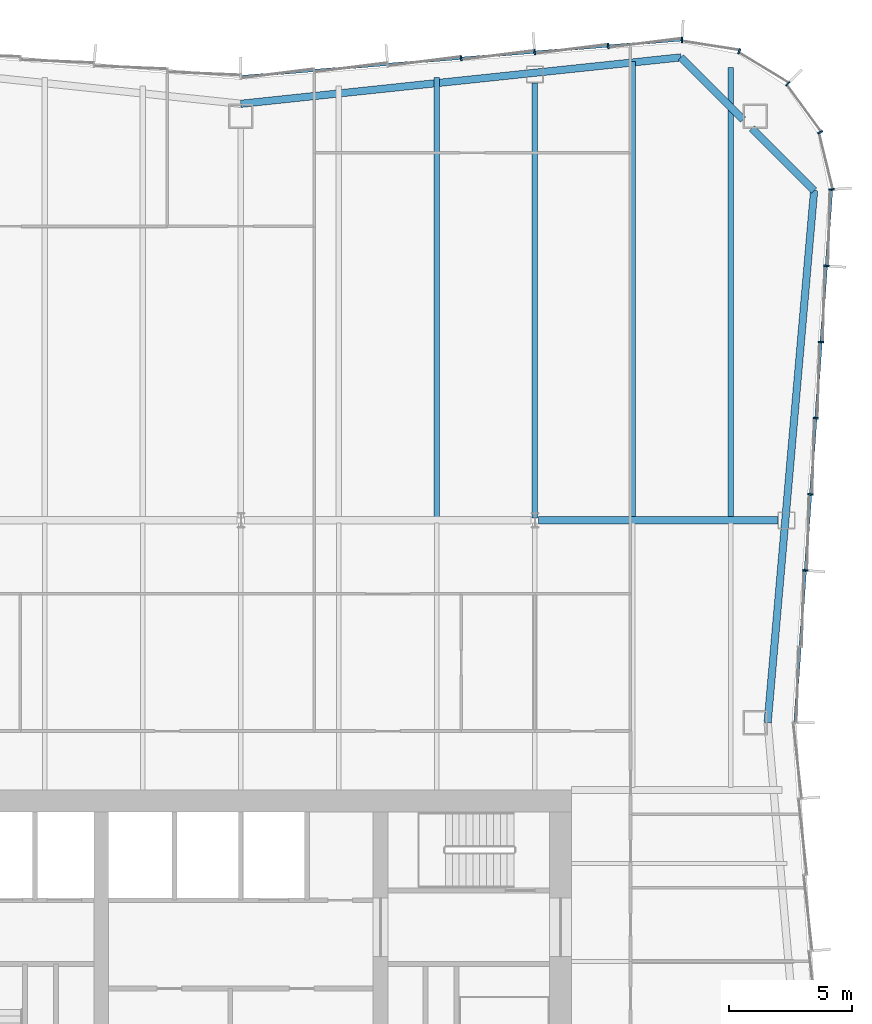
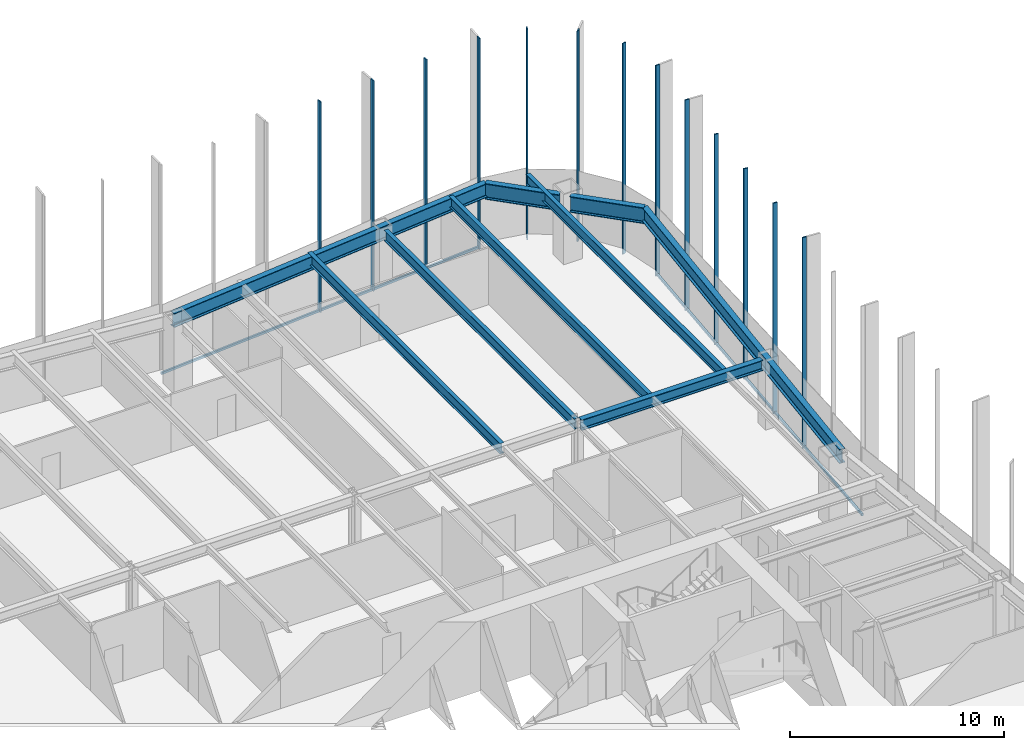
# One storey, part 7 of 13: 15 members, 9 beams, 3 elements without a shape of their own.
"""IFC4 building model written with IfcOpenShell, lengths in metres."""

from ifc_helpers import new_model, si_unit, direction, frame, origin, origin_2d, place, context, subcontext, project, spatial, rectangle, i_section, extrude, material, material_profile, profile_set, type_object, element, aggregate, save


model = new_model("IFC4")

# Units and contexts
model_context = context("Model", 3, precision=1e-05, world=origin(), true_north=direction((0.0, 1.0)))
body_context = subcontext(model_context, "Body", "Model", "MODEL_VIEW")
ifc_project = project(units=[si_unit("LENGTHUNIT", "METRE"), si_unit("AREAUNIT", "SQUARE_METRE"), si_unit("VOLUMEUNIT", "CUBIC_METRE"), si_unit("PLANEANGLEUNIT", "RADIAN"), si_unit("MASSUNIT", "GRAM", prefix="KILO")], contexts=[model_context])

# Site, building, storey
site_placement = place(None, origin())
site = spatial("IfcSite", under=ifc_project, at=site_placement, CompositionType="ELEMENT")
building_placement = place(site_placement, origin())
building = spatial("IfcBuilding", under=site, at=building_placement, Name="Verdant Reach Tower", CompositionType="ELEMENT")
storey_placement = place(building_placement, frame((0.0, 0.0, 206.0)))
storey = spatial("IfcBuildingStorey", under=building, at=storey_placement, Name="L47", CompositionType="ELEMENT", Elevation=206.0)

# Curtain wall, members
ifc_material_1 = material(Name="Anodised aluminium", Category="aluminium")
curtain_wall_type = type_object("IfcCurtainWallType", Name="EN-CW SYSTEM Z3", PredefinedType="NOTDEFINED", material=ifc_material_1)
curtain_wall_1_placement = place(storey_placement, origin())
curtain_wall_1 = element("IfcCurtainWall", 1, at=curtain_wall_1_placement, inside=storey, type_object=curtain_wall_type, Name="Curtain wall east, L47", PredefinedType="NOTDEFINED")
ifc_material_profile_1 = material_profile(ifc_material_1, rectangle(XDim=0.218017578125, YDim=0.06591796875, at=origin_2d()), Name="Mullion 66x218")
ifc_profile_set_1 = profile_set([ifc_material_profile_1], Name="Anodised aluminium")
member_type_1 = type_object("IfcMemberType", Name="EN-MULLION Z3", PredefinedType="MULLION", material=ifc_profile_set_1)
member_1_placement = place(storey_placement, frame((23.037353515625, 47.456787109375, -0.35009765625), z_axis=(0.0, 0.0, 1.0), x_axis=(0.997630328423, -0.068802091615, 0.0)))
member_1 = element("IfcMember", 2, at=member_1_placement, type_object=member_type_1, Name="Mullion east face part 2 3, L47", PredefinedType="MULLION", context=body_context, shape_type="SweptSolid", body=[
    extrude(rectangle(XDim=0.218017578125, YDim=0.06591796875, at=origin_2d()), origin(), (0.0, 0.0, 1.0), 12.0),
])
member_2_placement = place(storey_placement, frame((23.251708984375, 50.56396484375, -0.35009765625), z_axis=(0.0, 0.0, 1.0), x_axis=(0.997630328423, -0.068802091615, 0.0)))
member_2 = element("IfcMember", 3, at=member_2_placement, type_object=member_type_1, Name="Mullion east face part 2 4, L47", PredefinedType="MULLION", context=body_context, shape_type="SweptSolid", body=[
    extrude(rectangle(XDim=0.218017578125, YDim=0.06591796875, at=origin_2d()), origin(), (0.0, 0.0, 1.0), 12.0),
])
member_3_placement = place(storey_placement, frame((23.4658203125, 53.671142578125, -0.35009765625), z_axis=(0.0, 0.0, 1.0), x_axis=(0.997630328423, -0.068802091615, 0.0)))
member_3 = element("IfcMember", 4, at=member_3_placement, type_object=member_type_1, Name="Mullion east face part 2 5, L47", PredefinedType="MULLION", context=body_context, shape_type="SweptSolid", body=[
    extrude(rectangle(XDim=0.218017578125, YDim=0.06591796875, at=origin_2d()), origin(), (0.0, 0.0, 1.0), 12.0),
])
member_4_placement = place(storey_placement, frame((23.68017578125, 56.7783203125, -0.35009765625), z_axis=(0.0, 0.0, 1.0), x_axis=(0.997630328423, -0.068802091615, 0.0)))
member_4 = element("IfcMember", 5, at=member_4_placement, type_object=member_type_1, Name="Mullion east face part 2 6, L47", PredefinedType="MULLION", context=body_context, shape_type="SweptSolid", body=[
    extrude(rectangle(XDim=0.218017578125, YDim=0.06591796875, at=origin_2d()), origin(), (0.0, 0.0, 1.0), 12.0),
])
member_5_placement = place(storey_placement, frame((23.89453125, 59.88525390625, -0.35009765625), z_axis=(0.0, 0.0, 1.0), x_axis=(0.997630328423, -0.068802091615, 0.0)))
member_5 = element("IfcMember", 6, at=member_5_placement, type_object=member_type_1, Name="Mullion east face part 2 7, L47", PredefinedType="MULLION", context=body_context, shape_type="SweptSolid", body=[
    extrude(rectangle(XDim=0.218017578125, YDim=0.06591796875, at=origin_2d()), origin(), (0.0, 0.0, 1.0), 12.0),
])

curtain_wall_2_placement = place(storey_placement, origin())
curtain_wall_2 = element("IfcCurtainWall", 7, at=curtain_wall_2_placement, inside=storey, type_object=curtain_wall_type, Name="Curtain wall north-east corner, L47", PredefinedType="NOTDEFINED")
member_6_placement = place(storey_placement, frame((24.10888671875, 63.0068359375, -0.35009765625), z_axis=(0.0, 0.0, 1.0), x_axis=(0.997969180898, 0.063698618332, 0.0)))
member_6 = element("IfcMember", 8, at=member_6_placement, type_object=member_type_1, Name="Mullion north-east corner 1, L47", PredefinedType="MULLION", context=body_context, shape_type="SweptSolid", body=[
    extrude(rectangle(XDim=0.218017578125, YDim=0.06591796875, at=origin_2d()), origin(), (0.0, 0.0, 1.0), 12.0),
])
member_7_placement = place(storey_placement, frame((23.64404296875, 65.337890625, -0.35009765625), z_axis=(0.0, 0.0, 1.0), x_axis=(0.923875215753, 0.382693853776, 0.0)))
member_7 = element("IfcMember", 9, at=member_7_placement, type_object=member_type_1, Name="Mullion north-east corner 2, L47", PredefinedType="MULLION", context=body_context, shape_type="SweptSolid", body=[
    extrude(rectangle(XDim=0.218017578125, YDim=0.06591796875, at=origin_2d()), origin(), (0.0, 0.0, 1.0), 12.0),
])
member_8_placement = place(storey_placement, frame((22.319580078125, 67.319580078125, -0.35009765625), z_axis=(0.0, 0.0, 1.0), x_axis=(0.707106781187, 0.707106781187, 0.0)))
member_8 = element("IfcMember", 10, at=member_8_placement, type_object=member_type_1, Name="Mullion north-east corner 3, L47", PredefinedType="MULLION", context=body_context, shape_type="SweptSolid", body=[
    extrude(rectangle(XDim=0.218017578125, YDim=0.06591796875, at=origin_2d()), origin(), (0.0, 0.0, 1.0), 12.0),
])
member_9_placement = place(storey_placement, frame((20.337890625, 68.64404296875, -0.35009765625), z_axis=(0.0, 0.0, 1.0), x_axis=(0.382693853776, 0.923875215753, 0.0)))
member_9 = element("IfcMember", 11, at=member_9_placement, type_object=member_type_1, Name="Mullion north-east corner 4, L47", PredefinedType="MULLION", context=body_context, shape_type="SweptSolid", body=[
    extrude(rectangle(XDim=0.218017578125, YDim=0.06591796875, at=origin_2d()), origin(), (0.0, 0.0, 1.0), 12.0),
])
aggregate(curtain_wall_2, [member_6, member_7, member_8, member_9])

curtain_wall_3_placement = place(storey_placement, origin())
curtain_wall_3 = element("IfcCurtainWall", 12, at=curtain_wall_3_placement, inside=storey, type_object=curtain_wall_type, Name="Curtain wall north, L47", PredefinedType="NOTDEFINED")
member_10_placement = place(storey_placement, frame((18.006103515625, 69.10888671875, -0.35009765625), z_axis=(0.0, 0.0, 1.0), x_axis=(0.056569187765, 0.998398681387, 0.0)))
member_10 = element("IfcMember", 13, at=member_10_placement, type_object=member_type_1, Name="Mullion north face part 1 1, L47", PredefinedType="MULLION", context=body_context, shape_type="SweptSolid", body=[
    extrude(rectangle(XDim=0.218017578125, YDim=0.06591796875, at=origin_2d()), origin(), (0.0, 0.0, 1.0), 12.0),
])
member_11_placement = place(storey_placement, frame((14.990966796875, 68.858642578125, -0.35009765625), z_axis=(0.0, 0.0, 1.0), x_axis=(-0.083045479859, 0.996545758244, 0.0)))
member_11 = element("IfcMember", 14, at=member_11_placement, type_object=member_type_1, Name="Mullion north face part 1 2, L47", PredefinedType="MULLION", context=body_context, shape_type="SweptSolid", body=[
    extrude(rectangle(XDim=0.218017578125, YDim=0.06591796875, at=origin_2d()), origin(), (0.0, 0.0, 1.0), 12.0),
])
member_12_placement = place(storey_placement, frame((11.990966796875, 68.608642578125, -0.35009765625), z_axis=(0.0, 0.0, 1.0), x_axis=(-0.083045479859, 0.996545758244, 0.0)))
member_12 = element("IfcMember", 15, at=member_12_placement, type_object=member_type_1, Name="Mullion north face part 1 3, L47", PredefinedType="MULLION", context=body_context, shape_type="SweptSolid", body=[
    extrude(rectangle(XDim=0.218017578125, YDim=0.06591796875, at=origin_2d()), origin(), (0.0, 0.0, 1.0), 12.0),
])
member_13_placement = place(storey_placement, frame((8.990966796875, 68.358642578125, -0.35009765625), z_axis=(0.0, 0.0, 1.0), x_axis=(-0.083045479859, 0.996545758244, 0.0)))
member_13 = element("IfcMember", 16, at=member_13_placement, type_object=member_type_1, Name="Mullion north face part 1 4, L47", PredefinedType="MULLION", context=body_context, shape_type="SweptSolid", body=[
    extrude(rectangle(XDim=0.218017578125, YDim=0.06591796875, at=origin_2d()), origin(), (0.0, 0.0, 1.0), 12.0),
])

# Member
ifc_material_profile_2 = material_profile(ifc_material_1, rectangle(XDim=0.10009765625, YDim=0.1259765625, at=origin_2d()), Name="Transom 126x100")
ifc_profile_set_2 = profile_set([ifc_material_profile_2], Name="Anodised aluminium")
member_type_2 = type_object("IfcMemberType", Name="EN-TRANSOM Z3", PredefinedType="USERDEFINED", material=ifc_profile_set_2)
member_14_placement = place(storey_placement, frame((22.611328125, 41.282958984375, -0.287109375), z_axis=(0.068764326054, 0.997632932226, 0.0), x_axis=(-0.997632932226, 0.068764326054, 0.0)))
member_14 = element("IfcMember", 17, at=member_14_placement, type_object=member_type_2, Name="Transom east face part 2 1.1, L47", ObjectType="TRANSOM", PredefinedType="USERDEFINED", context=body_context, shape_type="SweptSolid", body=[
    extrude(rectangle(XDim=0.10009765625, YDim=0.1259765625, at=origin_2d()), origin(), (0.0, 0.0, 1.0), 21.74267578125),
])

aggregate(curtain_wall_1, [member_1, member_2, member_3, member_4, member_5, member_14])

member_15_placement = place(storey_placement, frame((17.973388671875, 69.106201171875, -0.287109375), z_axis=(-0.996548750467, -0.083009565369, 0.0), x_axis=(0.083009565369, -0.996548750467, 0.0)))
member_15 = element("IfcMember", 18, at=member_15_placement, type_object=member_type_2, Name="Transom north face part 1 1.1, L47", ObjectType="TRANSOM", PredefinedType="USERDEFINED", context=body_context, shape_type="SweptSolid", body=[
    extrude(rectangle(XDim=0.10009765625, YDim=0.1259765625, at=origin_2d()), origin(), (0.0, 0.0, 1.0), 18.00244140625),
])

aggregate(curtain_wall_3, [member_10, member_11, member_12, member_13, member_15])

# Beams
ifc_material_2 = material(Name="Steel S355", Category="steel")
ifc_material_profile_3 = material_profile(ifc_material_2, i_section(OverallWidth=0.300048828125, OverallDepth=0.60009765625, WebThickness=0.015380859375, FlangeThickness=0.030029296875, FilletRadius=0.027099609375, at=origin_2d()), Name="HEB 600")
ifc_profile_set_3 = profile_set([ifc_material_profile_3], Name="Steel S355")
beam_type_1 = type_object("IfcBeamType", Name="ST-BEAM-HEB600", PredefinedType="BEAM", material=ifc_profile_set_3)
beam_1_placement = place(storey_placement, frame((12.152587890625, 49.5, 3.570068359375), z_axis=(1.0, 0.0, 0.0), x_axis=(0.0, 1.0, 0.0)))
element("IfcBeam", 19, at=beam_1_placement, inside=storey, type_object=beam_type_1, Name="Row girder, L47", PredefinedType="BEAM", context=body_context, shape_type="SweptSolid", body=[
    extrude(i_section(OverallWidth=0.300048828125, OverallDepth=0.60009765625, WebThickness=0.015380859375, FlangeThickness=0.030029296875, FilletRadius=0.027099609375, at=origin_2d()), origin(), (0.0, 0.0, 1.0), 9.766357421875),
])
ifc_material_profile_4 = material_profile(ifc_material_2, i_section(OverallWidth=0.219970703125, OverallDepth=0.60009765625, WebThickness=0.011962890625, FlangeThickness=0.01904296875, FilletRadius=0.02392578125, at=origin_2d()), Name="IPE 600")
ifc_profile_set_4 = profile_set([ifc_material_profile_4], Name="Steel S355")
beam_type_2 = type_object("IfcBeamType", Name="ST-JOIST-IPE600", PredefinedType="JOIST", material=ifc_profile_set_4)
beam_2_placement = place(storey_placement, frame((8.0, 49.60009765625, 3.570068359375), z_axis=(0.0, 1.0, 0.0), x_axis=(-1.0, 0.0, 0.0)))
element("IfcBeam", 20, at=beam_2_placement, inside=storey, type_object=beam_type_2, Name="Floor joist, L47", PredefinedType="JOIST", context=body_context, shape_type="SweptSolid", body=[
    extrude(i_section(OverallWidth=0.219970703125, OverallDepth=0.60009765625, WebThickness=0.011962890625, FlangeThickness=0.01904296875, FilletRadius=0.02392578125, at=origin_2d()), origin(), (0.0, 0.0, 1.0), 17.964599609375),
])
beam_3_placement = place(storey_placement, frame((12.0, 49.60009765625, 3.570068359375), z_axis=(0.0, 1.0, 0.0), x_axis=(-1.0, 0.0, 0.0)))
element("IfcBeam", 21, at=beam_3_placement, inside=storey, type_object=beam_type_2, Name="Floor joist, L47", PredefinedType="JOIST", context=body_context, shape_type="SweptSolid", body=[
    extrude(i_section(OverallWidth=0.219970703125, OverallDepth=0.60009765625, WebThickness=0.011962890625, FlangeThickness=0.01904296875, FilletRadius=0.02392578125, at=origin_2d()), origin(), (0.0, 0.0, 1.0), 17.75),
])
beam_4_placement = place(storey_placement, frame((16.0, 49.60009765625, 3.570068359375), z_axis=(0.0, 1.0, 0.0), x_axis=(-1.0, 0.0, 0.0)))
element("IfcBeam", 22, at=beam_4_placement, inside=storey, type_object=beam_type_2, Name="Floor joist, L47", PredefinedType="JOIST", context=body_context, shape_type="SweptSolid", body=[
    extrude(i_section(OverallWidth=0.219970703125, OverallDepth=0.60009765625, WebThickness=0.011962890625, FlangeThickness=0.01904296875, FilletRadius=0.02392578125, at=origin_2d()), origin(), (0.0, 0.0, 1.0), 18.631103515625),
])
beam_5_placement = place(storey_placement, frame((20.0, 49.60009765625, 3.570068359375), z_axis=(0.0, 1.0, 0.0), x_axis=(-1.0, 0.0, 0.0)))
element("IfcBeam", 23, at=beam_5_placement, inside=storey, type_object=beam_type_2, Name="Floor joist, L47", PredefinedType="JOIST", context=body_context, shape_type="SweptSolid", body=[
    extrude(i_section(OverallWidth=0.219970703125, OverallDepth=0.60009765625, WebThickness=0.011962890625, FlangeThickness=0.01904296875, FilletRadius=0.02392578125, at=origin_2d()), origin(), (0.0, 0.0, 1.0), 18.390380859375),
])
ifc_material_profile_5 = material_profile(ifc_material_2, i_section(OverallWidth=0.300048828125, OverallDepth=0.800048828125, WebThickness=0.017578125, FlangeThickness=0.032958984375, FilletRadius=0.030029296875, at=origin_2d()), Name="HEB 800")
ifc_profile_set_5 = profile_set([ifc_material_profile_5], Name="Steel S355")
beam_type_3 = type_object("IfcBeamType", Name="ST-SPANDREL-HEB800", PredefinedType="SPANDREL", material=ifc_profile_set_5)
beam_6_placement = place(storey_placement, frame((0.0, 66.5, 3.469970703125), z_axis=(0.994483067002, 0.104897232783, 0.0), x_axis=(-0.104897232783, 0.994483067002, 0.0)))
element("IfcBeam", 24, at=beam_6_placement, inside=storey, type_object=beam_type_3, Name="Edge beam, L47", PredefinedType="SPANDREL", context=body_context, shape_type="SweptSolid", body=[
    extrude(i_section(OverallWidth=0.300048828125, OverallDepth=0.800048828125, WebThickness=0.017578125, FlangeThickness=0.032958984375, FilletRadius=0.030029296875, at=origin_2d()), origin(), (0.0, 0.0, 1.0), 18.0654296875),
])
beam_7_placement = place(storey_placement, frame((23.39599609375, 62.96142578125, 3.469970703125), z_axis=(-0.086996024331, -0.996208658741, 0.0), x_axis=(0.996208658741, -0.086996024331, 0.0)))
element("IfcBeam", 25, at=beam_7_placement, inside=storey, type_object=beam_type_3, Name="Edge beam, L47", PredefinedType="SPANDREL", context=body_context, shape_type="SweptSolid", body=[
    extrude(i_section(OverallWidth=0.300048828125, OverallDepth=0.800048828125, WebThickness=0.017578125, FlangeThickness=0.032958984375, FilletRadius=0.030029296875, at=origin_2d()), origin(), (0.0, 0.0, 1.0), 21.7939453125),
])
ifc_material_profile_6 = material_profile(ifc_material_2, i_section(OverallWidth=0.302001953125, OverallDepth=0.909912109375, WebThickness=0.02099609375, FlangeThickness=0.0400390625, FilletRadius=0.030029296875, at=origin_2d()), Name="HEM 900")
ifc_profile_set_6 = profile_set([ifc_material_profile_6], Name="Steel S355")
beam_type_4 = type_object("IfcBeamType", Name="ST-SPANDREL-HEM900", PredefinedType="SPANDREL", material=ifc_profile_set_6)
beam_8_placement = place(storey_placement, frame((17.9658203125, 68.39501953125, 3.4150390625), z_axis=(0.706868394255, -0.707345087777, 0.0), x_axis=(0.707345087777, 0.706868394255, 0.0)))
element("IfcBeam", 26, at=beam_8_placement, inside=storey, type_object=beam_type_4, Name="Edge beam, L47", PredefinedType="SPANDREL", context=body_context, shape_type="SweptSolid", body=[
    extrude(i_section(OverallWidth=0.302001953125, OverallDepth=0.909912109375, WebThickness=0.02099609375, FlangeThickness=0.0400390625, FilletRadius=0.030029296875, at=origin_2d()), origin(), (0.0, 0.0, 1.0), 3.5849609375),
])
beam_9_placement = place(storey_placement, frame((20.85888671875, 65.5, 3.4150390625), z_axis=(0.706902680526, -0.707310822952, 0.0), x_axis=(0.707310822952, 0.706902680526, 0.0)))
element("IfcBeam", 27, at=beam_9_placement, inside=storey, type_object=beam_type_4, Name="Edge beam, L47", PredefinedType="SPANDREL", context=body_context, shape_type="SweptSolid", body=[
    extrude(i_section(OverallWidth=0.302001953125, OverallDepth=0.909912109375, WebThickness=0.02099609375, FlangeThickness=0.0400390625, FilletRadius=0.030029296875, at=origin_2d()), origin(), (0.0, 0.0, 1.0), 3.589111328125),
])

save(model, "model.ifc")
